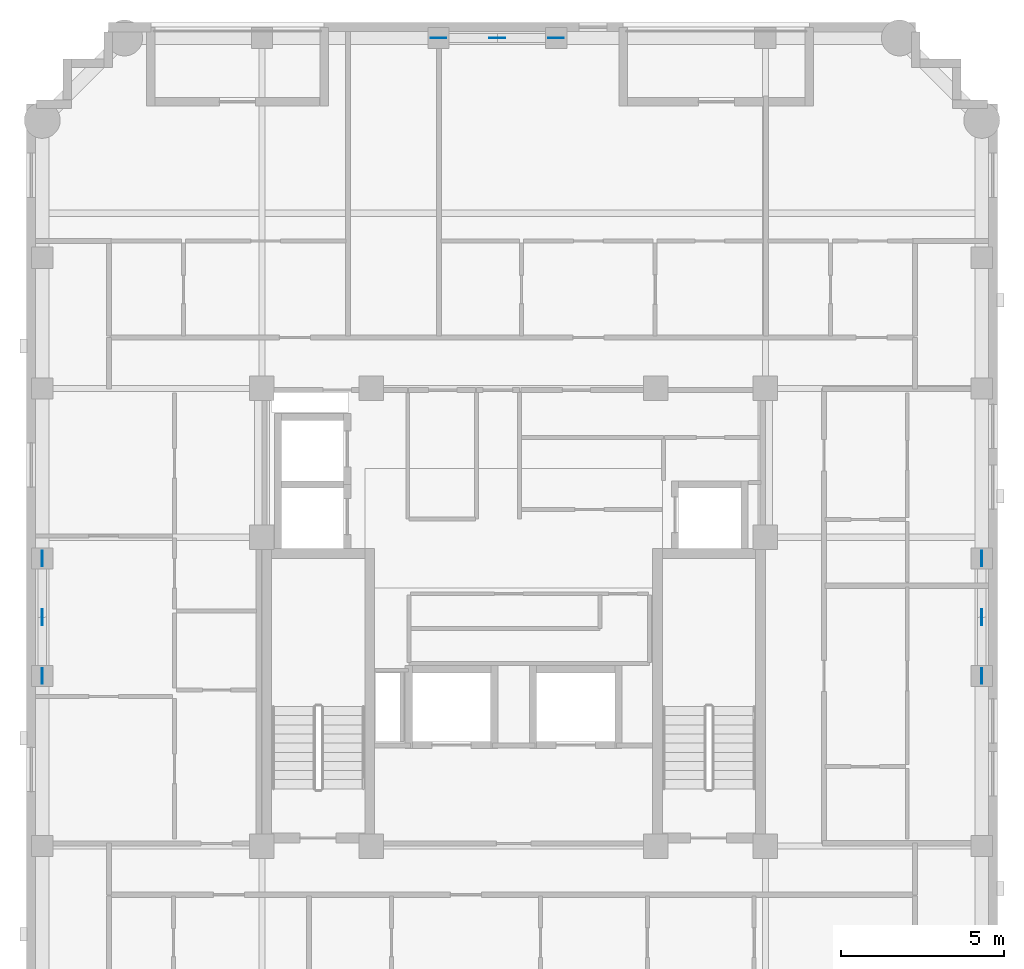
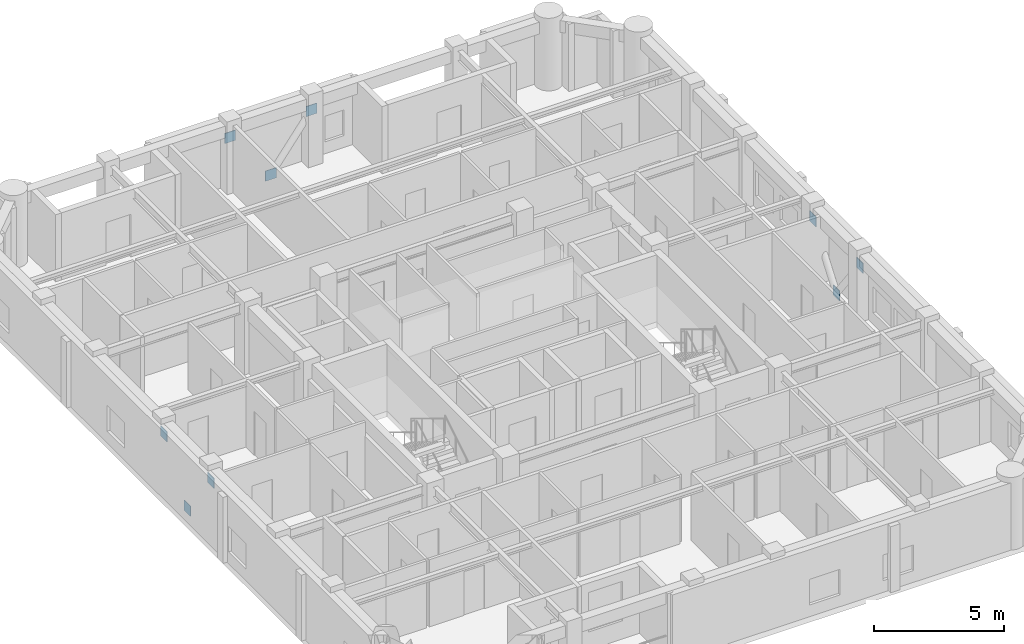
# One storey, part 8 of 10: 9 discrete accessories.
"""IFC4 building model written with IfcOpenShell, lengths in metres."""

from ifc_helpers import new_model, si_unit, derived_unit, direction, frame, origin, origin_2d, place, context, subcontext, project, spatial, rectangle, extrude, material, layer, layer_set, type_object, element, save


model = new_model("IFC4")

# Units and contexts
model_context = context("Model", 3, precision=1e-05, world=origin(), true_north=direction((0.0, 1.0)))
body_context = subcontext(model_context, "Body", "Model", "MODEL_VIEW")
ifc_project = project(units=[si_unit("LENGTHUNIT", "METRE"), si_unit("AREAUNIT", "SQUARE_METRE"), si_unit("VOLUMEUNIT", "CUBIC_METRE"), si_unit("PLANEANGLEUNIT", "RADIAN"), si_unit("MASSUNIT", "GRAM", prefix="KILO"), derived_unit("THERMALTRANSMITTANCEUNIT", [(si_unit("MASSUNIT", "GRAM", prefix="KILO"), 1), (si_unit("TIMEUNIT", "SECOND"), -3), (si_unit("THERMODYNAMICTEMPERATUREUNIT", "KELVIN"), -1)])], contexts=[model_context])

# Site, building, storey
site_placement = place(None, origin())
site = spatial("IfcSite", under=ifc_project, at=site_placement, CompositionType="ELEMENT")
building_placement = place(site_placement, origin())
building = spatial("IfcBuilding", under=site, at=building_placement, Name="Korrvale Station Residences", CompositionType="ELEMENT")
storey_placement = place(building_placement, frame((0.0, 0.0, 217.300048828125)))
storey = spatial("IfcBuildingStorey", under=building, at=storey_placement, Name="L63", CompositionType="ELEMENT", Elevation=217.300048828125)

# Discrete accessories
ifc_material = material(Name="Steel S355", Category="steel")
ifc_layer = layer(ifc_material, 0.02490234375, Name="Steel S355")
ifc_layer_set = layer_set([ifc_layer], Name="Steel S355")
discrete_accessory_type = type_object("IfcDiscreteAccessoryType", Name="ACC-GUSSET-25", PredefinedType="BRACKET", material=ifc_layer_set)
for number, where, z_axis, x_axis, name in (
    (1, (25.0, 39.719970703125, -0.219970703125), (0.0, 0.0, 1.0), (1.0, 0.0, 0.0), "L63 N Brace End Gusset Connection M"),
    (2, (23.199951171875, 39.719970703125, 2.169921875), (0.0, 0.0, 1.0), (1.0, 0.0, 0.0), "L63 N Brace End Gusset Connection A"),
    (3, (26.800048828125, 39.719970703125, 2.169921875), (0.0, 0.0, 1.0), (1.0, 0.0, 0.0), "L63 N Brace End Gusset Connection B"),
    (4, (11.080078125, 22.0, -0.219970703125), (0.0, 0.0, 1.0), (0.0, 1.0, 0.0), "L63 W Brace End Gusset Connection M"),
    (5, (11.080078125, 20.199951171875, 2.169921875), (0.0, 0.0, 1.0), (0.0, 1.0, 0.0), "L63 W Brace End Gusset Connection A"),
    (6, (11.080078125, 23.800048828125, 2.169921875), (0.0, 0.0, 1.0), (0.0, 1.0, 0.0), "L63 W Brace End Gusset Connection B"),
    (7, (39.820068359375, 22.0, -0.219970703125), (0.0, 0.0, 1.0), (0.0, 1.0, 0.0), "L63 E Brace End Gusset Connection M"),
    (8, (39.820068359375, 20.199951171875, 2.169921875), (0.0, 0.0, 1.0), (0.0, 1.0, 0.0), "L63 E Brace End Gusset Connection A"),
    (9, (39.820068359375, 23.800048828125, 2.169921875), (0.0, 0.0, 1.0), (0.0, 1.0, 0.0), "L63 E Brace End Gusset Connection B"),
):
    element("IfcDiscreteAccessory", number, at=place(storey_placement, frame(where, z_axis=z_axis, x_axis=x_axis)), inside=storey, type_object=discrete_accessory_type, Name=name, PredefinedType="BRACKET", context=body_context, shape_type="SweptSolid", body=[
        extrude(rectangle(XDim=0.47998046875, YDim=0.02490234375, at=origin_2d()), origin(), (0.0, 0.0, 1.0), 0.47998046875),
    ])

save(model, "model.ifc")
